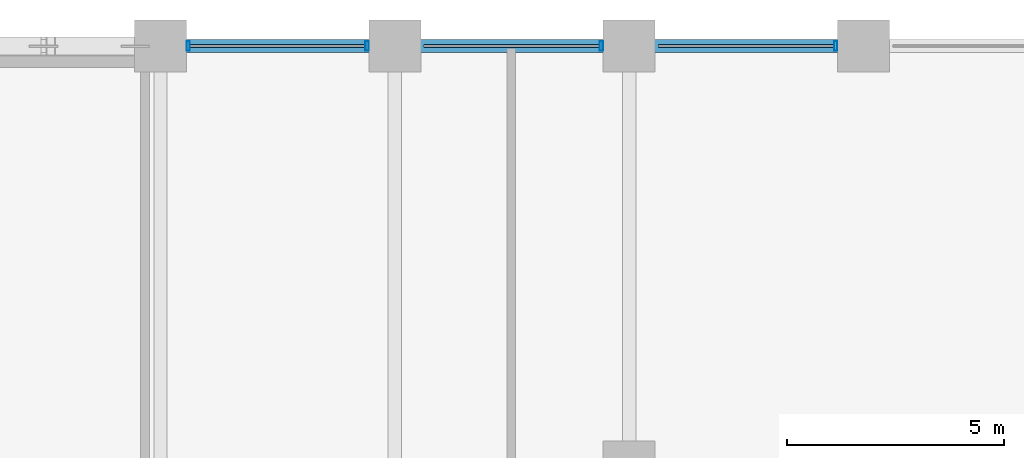
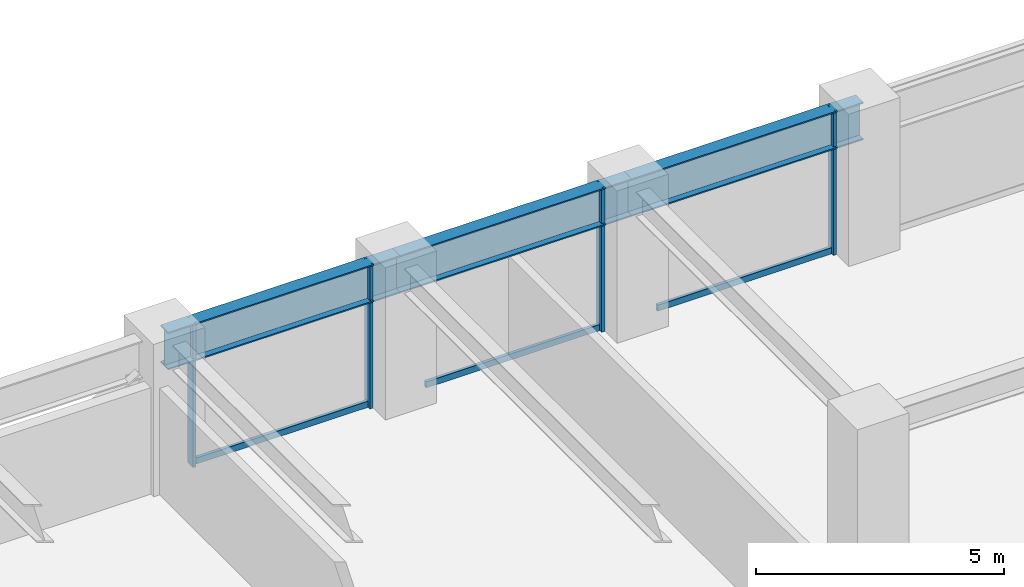
# One storey, part 15 of 26: 7 members, 3 beams, 1 element without a shape of its own.
"""IFC4 building model written with IfcOpenShell, lengths in metres."""

from ifc_helpers import new_model, si_unit, direction, frame, origin, origin_2d, place, context, subcontext, project, spatial, hollow_rectangle, i_section, extrude, material, layer, layer_set, material_profile, profile_set, type_object, element, aggregate, save


model = new_model("IFC4")

# Units and contexts
model_context = context("Model", 3, precision=1e-05, world=origin(), true_north=direction((0.0, 1.0)))
body_context = subcontext(model_context, "Body", "Model", "MODEL_VIEW")
ifc_project = project(units=[si_unit("LENGTHUNIT", "METRE"), si_unit("AREAUNIT", "SQUARE_METRE"), si_unit("VOLUMEUNIT", "CUBIC_METRE"), si_unit("PLANEANGLEUNIT", "RADIAN"), si_unit("MASSUNIT", "GRAM", prefix="KILO")], contexts=[model_context])

# Site, building, storey
site_placement = place(None, origin())
site = spatial("IfcSite", under=ifc_project, at=site_placement, CompositionType="ELEMENT")
building_placement = place(site_placement, origin())
building = spatial("IfcBuilding", under=site, at=building_placement, Name="Surkhivell Harbour Commons", CompositionType="ELEMENT")
storey_placement = place(building_placement, frame((0.0, 0.0, 60.0)))
storey = spatial("IfcBuildingStorey", under=building, at=storey_placement, Name="L15", CompositionType="ELEMENT", Elevation=60.0)

# Beams
ifc_material_1 = material(Name="Steel S460", Category="steel")
ifc_material_profile_1 = material_profile(ifc_material_1, i_section(OverallWidth=0.30810546875, OverallDepth=0.927001953125, WebThickness=0.01953125, FlangeThickness=0.031982421875, at=origin_2d()), Name="UB914x305x289")
ifc_profile_set_1 = profile_set([ifc_material_profile_1], Name="Steel S460")
beam_type = type_object("IfcBeamType", Name="BM-SPN-914B", PredefinedType="SPANDREL", material=ifc_profile_set_1)
beam_1_placement = place(storey_placement, frame((5.39990234375, 25.89990234375, 3.1064453125), z_axis=(1.0, 0.0, 0.0), x_axis=(0.0, 1.0, 0.0)))
element("IfcBeam", 1, at=beam_1_placement, inside=storey, type_object=beam_type, Name="L15 Tube Spandrel (5.4,25.9)", PredefinedType="SPANDREL", context=body_context, shape_type="SweptSolid", body=[
    extrude(i_section(OverallWidth=0.30810546875, OverallDepth=0.927001953125, WebThickness=0.01953125, FlangeThickness=0.031982421875, at=origin_2d()), origin(), (0.0, 0.0, 1.0), 5.400146484375),
])
beam_2_placement = place(storey_placement, frame((10.800048828125, 25.89990234375, 3.1064453125), z_axis=(1.0, 0.0, 0.0), x_axis=(0.0, 1.0, 0.0)))
element("IfcBeam", 2, at=beam_2_placement, inside=storey, type_object=beam_type, Name="L15 Tube Spandrel (10.8,25.9)", PredefinedType="SPANDREL", context=body_context, shape_type="SweptSolid", body=[
    extrude(i_section(OverallWidth=0.30810546875, OverallDepth=0.927001953125, WebThickness=0.01953125, FlangeThickness=0.031982421875, at=origin_2d()), origin(), (0.0, 0.0, 1.0), 5.39990234375),
])
beam_3_placement = place(storey_placement, frame((16.199951171875, 25.89990234375, 3.1064453125), z_axis=(1.0, 0.0, 0.0), x_axis=(0.0, 1.0, 0.0)))
element("IfcBeam", 3, at=beam_3_placement, inside=storey, type_object=beam_type, Name="L15 Tube Spandrel (16.2,25.9)", PredefinedType="SPANDREL", context=body_context, shape_type="SweptSolid", body=[
    extrude(i_section(OverallWidth=0.30810546875, OverallDepth=0.927001953125, WebThickness=0.01953125, FlangeThickness=0.031982421875, at=origin_2d()), origin(), (0.0, 0.0, 1.0), 5.400146484375),
])

# Curtain wall, members
ifc_material_2 = material(Name="Anodised pale-metal aluminium and insulated glazing", Category="aluminium")
ifc_layer = layer(ifc_material_2, 0.219970703125)
ifc_layer_set = layer_set([ifc_layer], Name="Anodised pale-metal aluminium and insulated glazing")
curtain_wall_type = type_object("IfcCurtainWallType", Name="CW-SYS-Z1", PredefinedType="NOTDEFINED", material=ifc_layer_set)
curtain_wall_placement = place(storey_placement, origin())
curtain_wall = element("IfcCurtainWall", 4, at=curtain_wall_placement, inside=storey, type_object=curtain_wall_type, Name="L15 Curtain Wall CW-L15-E07S1", PredefinedType="NOTDEFINED")
ifc_material_3 = material(Name="Anodised pale-metal aluminium alloy 6063-T6", Category="aluminium")
ifc_material_profile_2 = material_profile(ifc_material_3, hollow_rectangle(XDim=0.074951171875, YDim=0.219970703125, WallThickness=0.00390625, at=origin_2d()), Name="ALU-MULL-75x220")
ifc_profile_set_2 = profile_set([ifc_material_profile_2], Name="Anodised pale-metal aluminium alloy 6063-T6")
member_type_1 = type_object("IfcMemberType", Name="CWM-220", PredefinedType="MULLION", material=ifc_profile_set_2)
member_1_placement = place(storey_placement, frame((20.96044921875, 25.89990234375, 0.0), z_axis=(0.0, 0.0, 1.0), x_axis=(-1.0, 0.0, 0.0)))
member_1 = element("IfcMember", 5, at=member_1_placement, type_object=member_type_1, Name="CW-Z1 mullion 2", PredefinedType="MULLION", context=body_context, shape_type="SweptSolid", body=[
    extrude(hollow_rectangle(XDim=0.074951171875, YDim=0.219970703125, WallThickness=0.00390625, at=origin_2d()), origin(), (0.0, 0.0, 1.0), 3.570068359375),
])
member_2_placement = place(storey_placement, frame((15.560546875, 25.89990234375, 0.0), z_axis=(0.0, 0.0, 1.0), x_axis=(-1.0, 0.0, 0.0)))
member_2 = element("IfcMember", 6, at=member_2_placement, type_object=member_type_1, Name="CW-Z1 mullion 3", PredefinedType="MULLION", context=body_context, shape_type="SweptSolid", body=[
    extrude(hollow_rectangle(XDim=0.074951171875, YDim=0.219970703125, WallThickness=0.00390625, at=origin_2d()), origin(), (0.0, 0.0, 1.0), 3.570068359375),
])
member_3_placement = place(storey_placement, frame((10.160400390625, 25.89990234375, 0.0), z_axis=(0.0, 0.0, 1.0), x_axis=(-1.0, 0.0, 0.0)))
member_3 = element("IfcMember", 7, at=member_3_placement, type_object=member_type_1, Name="CW-Z1 mullion 4", PredefinedType="MULLION", context=body_context, shape_type="SweptSolid", body=[
    extrude(hollow_rectangle(XDim=0.074951171875, YDim=0.219970703125, WallThickness=0.00390625, at=origin_2d()), origin(), (0.0, 0.0, 1.0), 3.570068359375),
])
member_4_placement = place(storey_placement, frame((6.03955078125, 25.89990234375, 0.0), z_axis=(0.0, 0.0, 1.0), x_axis=(-1.0, 0.0, 0.0)))
member_4 = element("IfcMember", 8, at=member_4_placement, type_object=member_type_1, Name="CW-Z1 mullion 5", PredefinedType="MULLION", context=body_context, shape_type="SweptSolid", body=[
    extrude(hollow_rectangle(XDim=0.074951171875, YDim=0.219970703125, WallThickness=0.00390625, at=origin_2d()), origin(), (0.0, 0.0, 1.0), 3.570068359375),
])
ifc_material_profile_3 = material_profile(ifc_material_3, hollow_rectangle(XDim=0.074951171875, YDim=0.14990234375, WallThickness=0.00341796875, at=origin_2d()), Name="ALU-TRAN-75x150")
ifc_profile_set_3 = profile_set([ifc_material_profile_3], Name="Anodised pale-metal aluminium alloy 6063-T6")
member_type_2 = type_object("IfcMemberType", Name="CWT-150", PredefinedType="USERDEFINED", material=ifc_profile_set_3)
member_5_placement = place(storey_placement, frame((20.923095703125, 25.89990234375, 0.074951171875), z_axis=(-1.0, 0.0, 0.0), x_axis=(0.0, -1.0, 0.0)))
member_5 = element("IfcMember", 9, at=member_5_placement, type_object=member_type_2, Name="CW-Z1 transom 2.1", ObjectType="TRANSOM", PredefinedType="USERDEFINED", context=body_context, shape_type="SweptSolid", body=[
    extrude(hollow_rectangle(XDim=0.074951171875, YDim=0.14990234375, WallThickness=0.00341796875, at=origin_2d()), origin(), (0.0, 0.0, 1.0), 4.046142578125),
])
member_6_placement = place(storey_placement, frame((15.52294921875, 25.89990234375, 0.074951171875), z_axis=(-1.0, 0.0, 0.0), x_axis=(0.0, -1.0, 0.0)))
member_6 = element("IfcMember", 10, at=member_6_placement, type_object=member_type_2, Name="CW-Z1 transom 3.1", ObjectType="TRANSOM", PredefinedType="USERDEFINED", context=body_context, shape_type="SweptSolid", body=[
    extrude(hollow_rectangle(XDim=0.074951171875, YDim=0.14990234375, WallThickness=0.00341796875, at=origin_2d()), origin(), (0.0, 0.0, 1.0), 4.0458984375),
])
member_7_placement = place(storey_placement, frame((10.123046875, 25.89990234375, 0.074951171875), z_axis=(-1.0, 0.0, 0.0), x_axis=(0.0, -1.0, 0.0)))
member_7 = element("IfcMember", 11, at=member_7_placement, type_object=member_type_2, Name="CW-Z1 transom 4.1", ObjectType="TRANSOM", PredefinedType="USERDEFINED", context=body_context, shape_type="SweptSolid", body=[
    extrude(hollow_rectangle(XDim=0.074951171875, YDim=0.14990234375, WallThickness=0.00341796875, at=origin_2d()), origin(), (0.0, 0.0, 1.0), 4.046142578125),
])
aggregate(curtain_wall, [member_1, member_5, member_2, member_6, member_3, member_4, member_7])

save(model, "model.ifc")
